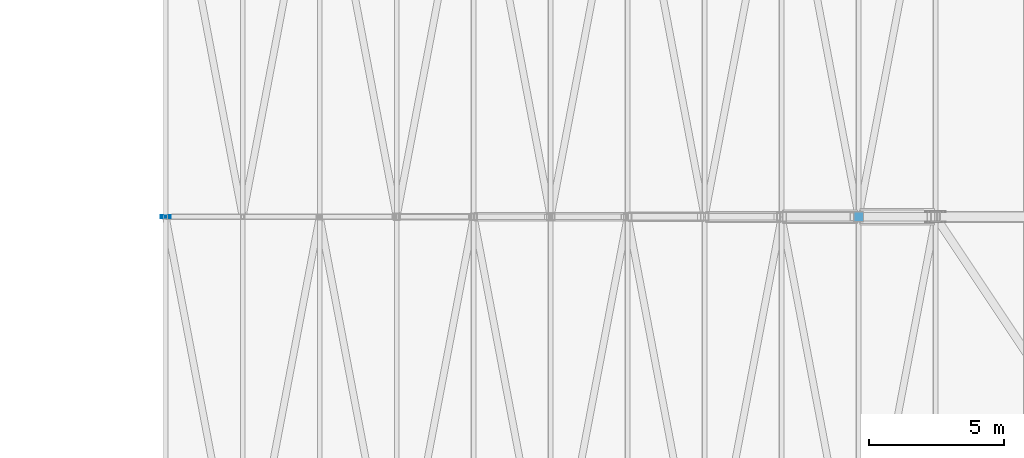
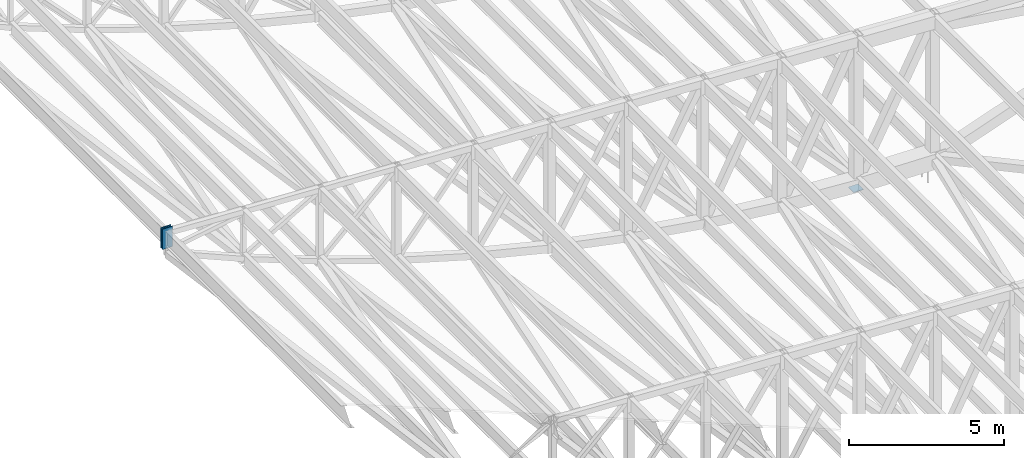
# One storey, part 249 of 278: 3 discrete accessories.
"""IFC4 building model written with IfcOpenShell, lengths in metres."""

from ifc_helpers import new_model, si_unit, direction, frame, origin, origin_2d, place, context, subcontext, project, spatial, rectangle, extrude, material, layer, layer_set, type_object, element, save


model = new_model("IFC4")

# Units and contexts
model_context = context("Model", 3, precision=1e-05, world=origin(), true_north=direction((0.0, 1.0)))
body_context = subcontext(model_context, "Body", "Model", "MODEL_VIEW")
ifc_project = project(units=[si_unit("LENGTHUNIT", "METRE"), si_unit("AREAUNIT", "SQUARE_METRE"), si_unit("VOLUMEUNIT", "CUBIC_METRE"), si_unit("PLANEANGLEUNIT", "RADIAN"), si_unit("MASSUNIT", "GRAM", prefix="KILO")], contexts=[model_context])

# Site, building, storey
site_placement = place(None, origin())
site = spatial("IfcSite", under=ifc_project, at=site_placement, CompositionType="ELEMENT")
building_placement = place(site_placement, origin())
building = spatial("IfcBuilding", under=site, at=building_placement, Name="Ogive Plaza Stadium", CompositionType="ELEMENT")
storey_placement = place(building_placement, frame((0.0, 0.0, 29.0)))
storey = spatial("IfcBuildingStorey", under=building, at=storey_placement, Name="Roof", CompositionType="ELEMENT", Elevation=29.0)

# Discrete accessories
ifc_material_1 = material(Name="Steel ASTM A992 Grade 50", Category="steel")
ifc_layer_1 = layer(ifc_material_1, 0.030029296875)
ifc_layer_set_1 = layer_set([ifc_layer_1], Name="Steel ASTM A992 Grade 50")
discrete_accessory_type_1 = type_object("IfcDiscreteAccessoryType", Name="Ring beam end plate 30", PredefinedType="ANCHORPLATE", material=ifc_layer_set_1)
for number, where, z_axis, x_axis, name in (
    (1, (45.5, 37.546142578125, 6.7265625), (0.0, 0.0, 1.0), (0.0, -1.0, 0.0), "RING BEAM END PLATE B01 2"),
    (2, (45.5, 37.453857421875, 6.7265625), (0.0, 0.0, 1.0), (0.0, -1.0, 0.0), "RING BEAM END PLATE B02 1"),
):
    element("IfcDiscreteAccessory", number, at=place(storey_placement, frame(where, z_axis=z_axis, x_axis=x_axis)), inside=storey, type_object=discrete_accessory_type_1, Name=name, PredefinedType="ANCHORPLATE", context=body_context, shape_type="SweptSolid", body=[
        extrude(rectangle(XDim=0.030029296875, YDim=0.3779296875, at=origin_2d()), origin(), (0.0, 0.0, 1.0), 0.798583984375),
    ])
ifc_material_2 = material(Name="Steel ASTM A992 Grade 50", Category="steel")
ifc_layer_2 = layer(ifc_material_2, 0.02001953125)
ifc_layer_set_2 = layer_set([ifc_layer_2], Name="Steel ASTM A992 Grade 50")
discrete_accessory_type_2 = type_object("IfcDiscreteAccessoryType", Name="Roof truss post cap plate 20", PredefinedType="ANCHORPLATE", material=ifc_layer_set_2)
discrete_accessory_placement = place(storey_placement, frame((71.14990234375, 37.5, 0.04541015625), z_axis=(0.0, 0.0, 1.0), x_axis=(1.0, 0.0, 0.0)))
element("IfcDiscreteAccessory", 3, at=discrete_accessory_placement, inside=storey, type_object=discrete_accessory_type_2, Name="ROOF TRUSS POST CAP PLATE 02 10", PredefinedType="ANCHORPLATE", context=body_context, shape_type="SweptSolid", body=[
    extrude(rectangle(XDim=0.355712890625, YDim=0.355712890625, at=origin_2d()), origin(), (0.0, 0.0, 1.0), 0.02001953125),
])

save(model, "model.ifc")
